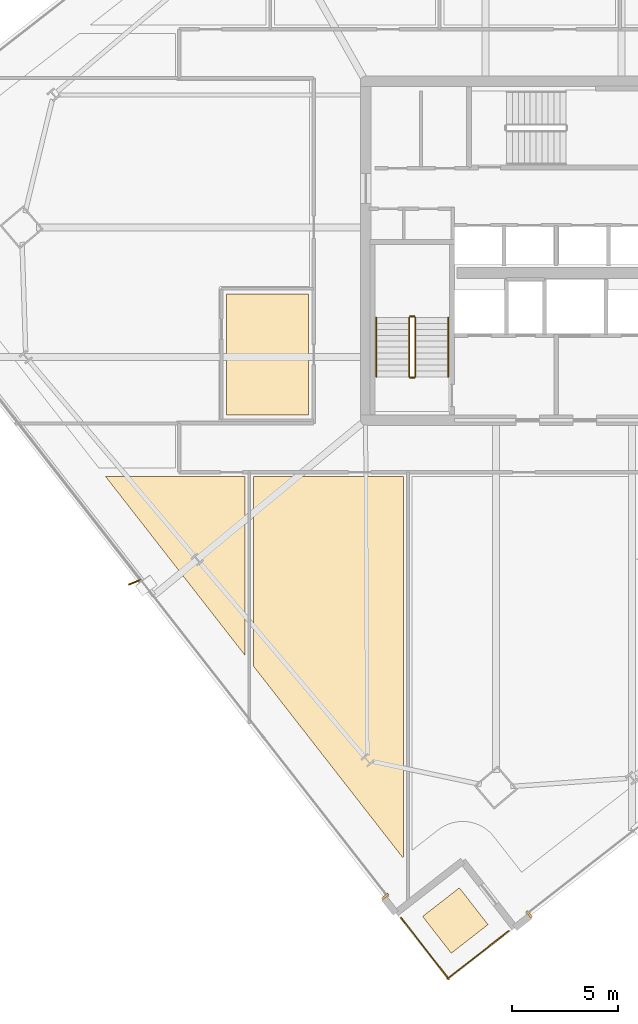
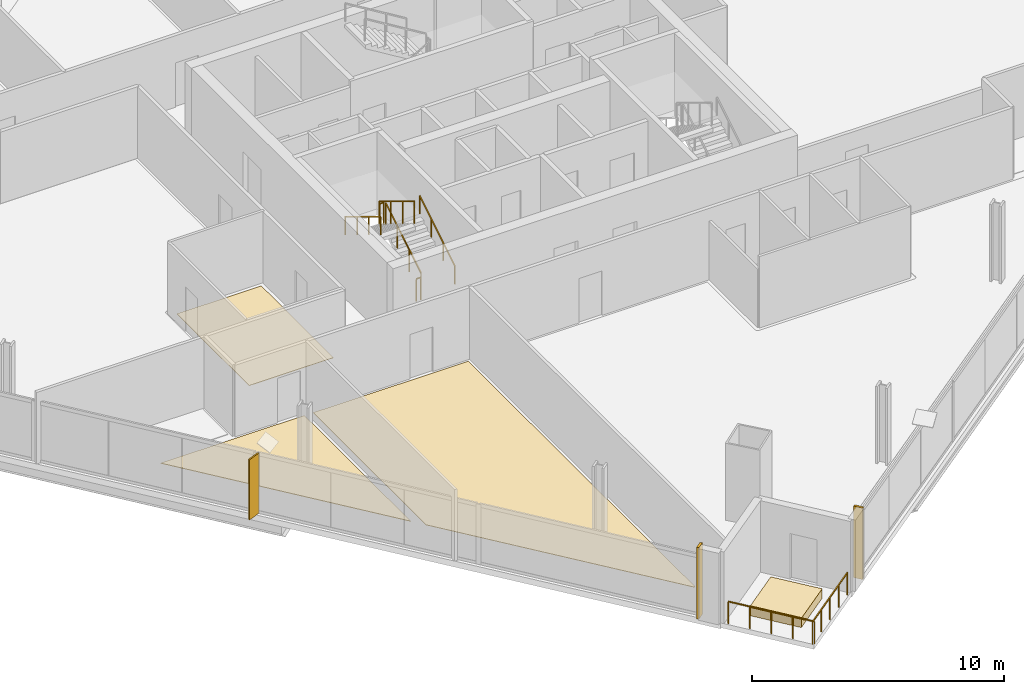
# One storey, part 28 of 32: 8 railings, 6 coverings, 1 shading device.
"""IFC4 building model written with IfcOpenShell, lengths in metres."""

import ifcopenshell
import ifcopenshell.guid

model = None  # the IFC model being written
_history = None  # IfcOwnerHistory: only IFC2X3 demands one
_inside = {}  # id of a spatial element -> (the spatial element, [elements in it])
_under = {}  # id of a project, library or spatial element -> (it, [spatial elements below it])
_declared = {}  # id of a project -> (the project, [libraries it declares])
_typed = {}  # id of a type object -> (the type object, [elements of that type])
_made_of = {}  # id of a material, layer set ... -> (it, [elements and type objects made of it])


def new_model(schema):
    """Start an empty IFC model of exactly this schema.

    Asked for "IFC4X3", IfcOpenShell would pick the latest addendum, in which some entities
    have other attributes; the version numbers below select the first issue.
    IFC2X3 requires an IfcOwnerHistory on every rooted entity: one is made here for all.
    """
    global model, _history
    if schema == "IFC4X3":
        model = ifcopenshell.file(schema_version=(4, 3, 0, 0))
    else:
        model = ifcopenshell.file(schema=schema)
    _inside.clear()
    _under.clear()
    _declared.clear()
    _typed.clear()
    _made_of.clear()
    _history = None
    if model.schema == "IFC2X3":
        org = make("IfcOrganization", Name="unknown")
        user = make(
            "IfcPersonAndOrganization",
            ThePerson=make("IfcPerson", FamilyName="unknown"),
            TheOrganization=org,
        )
        app = make(
            "IfcApplication",
            ApplicationDeveloper=org,
            Version="unknown",
            ApplicationFullName="unknown",
            ApplicationIdentifier="unknown",
        )
        _history = make(
            "IfcOwnerHistory",
            OwningUser=user,
            OwningApplication=app,
            ChangeAction="ADDED",
            CreationDate=0,
        )
    return model


def make(cls, **values):
    """One entity of the class cls with the attributes given. An attribute that is None is left unset."""
    return model.create_entity(
        cls, **{name: value for name, value in values.items() if value is not None}
    )


def rooted(cls, **values):
    """An entity with a GlobalId (a new one), such as an element, a storey or a relation."""
    return make(cls, GlobalId=ifcopenshell.guid.new(), OwnerHistory=_history, **values)


def si_unit(unit_type, name, prefix=None):
    """IfcSIUnit, for example si_unit("LENGTHUNIT", "METRE", prefix="MILLI")."""
    return make("IfcSIUnit", UnitType=unit_type, Prefix=prefix, Name=name)


def assignment(units):
    """IfcUnitAssignment: the units of a project."""
    return None if units is None else make("IfcUnitAssignment", Units=units)


def point(xyz):
    """IfcCartesianPoint."""
    return None if xyz is None else make("IfcCartesianPoint", Coordinates=xyz)


def direction(xyz):
    """IfcDirection."""
    return None if xyz is None else make("IfcDirection", DirectionRatios=xyz)


def frame(location, z_axis=None, x_axis=None):
    """IfcAxis2Placement3D, a coordinate frame: its origin and axes. An axis left out is left unset."""
    return make(
        "IfcAxis2Placement3D",
        Location=point(location),
        Axis=direction(z_axis),
        RefDirection=direction(x_axis),
    )


def frame_2d(location, x_axis=None):
    """IfcAxis2Placement2D, a coordinate frame in the plane: its origin and x axis."""
    return make(
        "IfcAxis2Placement2D", Location=point(location), RefDirection=direction(x_axis)
    )


def origin():
    """The frame at (0, 0, 0) with its axes left unset."""
    return frame((0.0, 0.0, 0.0))


def origin_2d():
    """The frame at (0, 0) in the plane with its x axis left unset."""
    return frame_2d((0.0, 0.0))


def place(relative_to, where):
    """IfcLocalPlacement: puts the frame where relative to a parent placement (None: the world)."""
    return make(
        "IfcLocalPlacement", PlacementRelTo=relative_to, RelativePlacement=where
    )


def context(
    kind, dimensions, precision=None, world=None, true_north=None, identifier=None
):
    """IfcGeometricRepresentationContext, for example the 3D "Model" context."""
    return make(
        "IfcGeometricRepresentationContext",
        ContextIdentifier=identifier,
        ContextType=kind,
        CoordinateSpaceDimension=dimensions,
        Precision=precision,
        WorldCoordinateSystem=world,
        TrueNorth=true_north,
    )


def subcontext(parent, identifier, kind, view, scale=None):
    """IfcGeometricRepresentationSubContext, for example "Body" below "Model"."""
    return make(
        "IfcGeometricRepresentationSubContext",
        ContextIdentifier=identifier,
        ContextType=kind,
        ParentContext=parent,
        TargetScale=scale,
        TargetView=view,
    )


def project(units=None, contexts=None):
    """IfcProject with its units and contexts."""
    return rooted(
        "IfcProject",
        Name="project",
        RepresentationContexts=contexts,
        UnitsInContext=assignment(units),
    )


def spatial(cls, under=None, at=None, **own):
    """A site, building, storey or space (cls), placed at a placement, below another one or the project."""
    s = rooted(cls, ObjectPlacement=at, **own)
    if under is not None:
        _under.setdefault(under.id(), (under, []))[1].append(s)
    return s


def polyline(points):
    """IfcPolyline through the points."""
    return make("IfcPolyline", Points=[point(p) for p in points])


def profile(cls, at=None, kind="AREA", **sizes):
    """A parametric profile (cls). Its sizes go by their IFC names, for example OverallWidth=200.0."""
    return make(cls, ProfileType=kind, Position=at, **sizes)


def rectangle(**sizes):
    """IfcRectangleProfileDef."""
    return profile("IfcRectangleProfileDef", **sizes)


def outline(outer, holes=None, kind="AREA"):
    """IfcArbitraryClosedProfileDef: a profile drawn as a closed curve; with holes, ...WithVoids."""
    if holes is None:
        return make("IfcArbitraryClosedProfileDef", ProfileType=kind, OuterCurve=outer)
    return make(
        "IfcArbitraryProfileDefWithVoids",
        ProfileType=kind,
        OuterCurve=outer,
        InnerCurves=holes,
    )


def extrude(swept, where, along, depth):
    """IfcExtrudedAreaSolid: the profile swept, set in the frame where, extruded along a direction by depth."""
    return make(
        "IfcExtrudedAreaSolid",
        SweptArea=swept,
        Position=where,
        ExtrudedDirection=direction(along),
        Depth=depth,
    )


def shape(context_of_items, identifier, shape_type, items):
    """IfcShapeRepresentation: the items that make up one representation, for example the "Body"."""
    return make(
        "IfcShapeRepresentation",
        ContextOfItems=context_of_items,
        RepresentationIdentifier=identifier,
        RepresentationType=shape_type,
        Items=items,
    )


def source(mapping_origin, context_of_items, identifier, shape_type, items):
    """IfcRepresentationMap: a shape defined once, which mapped items show again and again."""
    return make(
        "IfcRepresentationMap",
        MappingOrigin=mapping_origin,
        MappedRepresentation=shape(context_of_items, identifier, shape_type, items),
    )


def transform(
    local_origin,
    x_axis=None,
    y_axis=None,
    z_axis=None,
    scale=None,
    scale2=None,
    scale3=None,
    uniform=True,
):
    """IfcCartesianTransformationOperator3D, or its non-uniform kind. x_axis, y_axis, z_axis: its Axis1, 2, 3."""
    if uniform:
        return make(
            "IfcCartesianTransformationOperator3D",
            Axis1=direction(x_axis),
            Axis2=direction(y_axis),
            LocalOrigin=point(local_origin),
            Scale=scale,
            Axis3=direction(z_axis),
        )
    return make(
        "IfcCartesianTransformationOperator3DnonUniform",
        Axis1=direction(x_axis),
        Axis2=direction(y_axis),
        LocalOrigin=point(local_origin),
        Scale=scale,
        Axis3=direction(z_axis),
        Scale2=scale2,
        Scale3=scale3,
    )


def mapped(mapping_source, mapping_target):
    """IfcMappedItem: shows the shape of a source again, moved by a transform."""
    return make(
        "IfcMappedItem", MappingSource=mapping_source, MappingTarget=mapping_target
    )


def material(Name=None, Category=None):
    """IfcMaterial."""
    return make("IfcMaterial", Name=Name, Category=Category)


def layer(
    of_material, thickness, ventilated=None, Name=None, Category=None, Priority=None
):
    """IfcMaterialLayer: one layer of a wall or slab, of a material (None: an air gap)."""
    return make(
        "IfcMaterialLayer",
        Material=of_material,
        LayerThickness=thickness,
        IsVentilated=ventilated,
        Name=Name,
        Category=Category,
        Priority=Priority,
    )


def layer_set(layers, Name=None):
    """IfcMaterialLayerSet."""
    return make("IfcMaterialLayerSet", MaterialLayers=layers, LayerSetName=Name)


def made_of(thing, what):
    """Note that an element or type object is made of a material, layer set ...; save() writes the relation."""
    if what is not None:
        _made_of.setdefault(what.id(), (what, []))[1].append(thing)
    return thing


def type_object(cls, material=None, **own):
    """A type object (cls), such as IfcWallType, which elements share."""
    return made_of(rooted(cls, **own), material)


def element(
    cls,
    number,
    at=None,
    inside=None,
    cuts=None,
    type_object=None,
    material=None,
    context=None,
    identifier="Body",
    shape_type=None,
    held_by="IfcProductDefinitionShape",
    body=None,
    shapes=None,
    **own,
):
    """One element of the class cls, such as IfcWall. Its Tag is "e" and its number.

    at: its placement. inside: the storey or other place that contains it. cuts: it is an
    opening in that element (IfcRelVoidsElement). A single representation is given by context,
    identifier, shape_type and body (its items); several are given by shapes. held_by: the class
    of the entity that holds the representations. save() writes the other relations.
    """
    e = rooted(cls, Tag="e%d" % number, ObjectPlacement=at, **own)
    if body is not None:
        shapes = [shape(context, identifier, shape_type, body)]
    if shapes is not None:
        e.Representation = make(held_by, Representations=shapes)
    if inside is not None:
        _inside.setdefault(inside.id(), (inside, []))[1].append(e)
    if cuts is not None:
        rooted(
            "IfcRelVoidsElement", RelatingBuildingElement=cuts, RelatedOpeningElement=e
        )
    if type_object is not None:
        _typed.setdefault(type_object.id(), (type_object, []))[1].append(e)
    return made_of(e, material)


def aggregate(whole, parts):
    """IfcRelAggregates: a whole, such as a stair, and the parts it consists of."""
    return rooted("IfcRelAggregates", RelatingObject=whole, RelatedObjects=parts)


def save(model, path):
    """Write the relations noted so far, then the file.

    IfcRelAggregates (storeys below a building ...), IfcRelContainedInSpatialStructure (elements
    in a storey), IfcRelDefinesByType, IfcRelAssociatesMaterial and IfcRelDeclares: one each for
    every whole, place, type object, material and project.
    """
    for whole, parts in _under.values():
        aggregate(whole, parts)
    for where, things in _inside.values():
        rooted(
            "IfcRelContainedInSpatialStructure",
            RelatedElements=things,
            RelatingStructure=where,
        )
    for kind, things in _typed.values():
        rooted("IfcRelDefinesByType", RelatedObjects=things, RelatingType=kind)
    for what, things in _made_of.values():
        rooted("IfcRelAssociatesMaterial", RelatedObjects=things, RelatingMaterial=what)
    for by, libraries in _declared.values():
        rooted("IfcRelDeclares", RelatingContext=by, RelatedDefinitions=libraries)
    model.write(path)


model = new_model("IFC4")

# Units and contexts
model_context = context("Model", 3, precision=1e-05, world=origin(), true_north=direction((0.0, 1.0)))
body_context = subcontext(model_context, "Body", "Model", "MODEL_VIEW")
ifc_project = project(units=[si_unit("LENGTHUNIT", "METRE"), si_unit("AREAUNIT", "SQUARE_METRE"), si_unit("VOLUMEUNIT", "CUBIC_METRE"), si_unit("PLANEANGLEUNIT", "RADIAN"), si_unit("MASSUNIT", "GRAM", prefix="KILO")], contexts=[model_context])

# Site, building, storey
site_placement = place(None, origin())
site = spatial("IfcSite", under=ifc_project, at=site_placement, CompositionType="ELEMENT")
building_placement = place(site_placement, origin())
building = spatial("IfcBuilding", under=site, at=building_placement, Name="Haldenkirk Collegiate Tower", CompositionType="ELEMENT")
storey_placement = place(building_placement, frame((0.0, 0.0, 155.699951171875)))
storey = spatial("IfcBuildingStorey", under=building, at=storey_placement, Name="L38", CompositionType="ELEMENT", Elevation=155.699951171875)

# Coverings
ifc_material_1 = material(Name="Polished collegiate terrazzo", Category="concrete")
ifc_layer_1 = layer(ifc_material_1, 0.02490234375)
ifc_layer_set_1 = layer_set([ifc_layer_1], Name="Polished collegiate terrazzo")
covering_type_1 = type_object("IfcCoveringType", Name="COV-FLOOR-TERRAZZO", PredefinedType="FLOORING", material=ifc_layer_set_1)
covering_1_placement = place(storey_placement, origin())
element("IfcCovering", 1, at=covering_1_placement, inside=storey, type_object=covering_type_1, Name="L38 academic room finish 02", PredefinedType="FLOORING", context=body_context, shape_type="SweptSolid", body=[
    extrude(outline(polyline([(14.7197265625, 15.35009765625), (21.300048828125, 15.35009765625), (21.300048828125, 6.912353515625), (14.7197265625, 15.35009765625)])), origin(), (0.0, 0.0, 1.0), 0.025146484375),
])
ifc_material_2 = material(Name="Engineered collegiate oak acoustic flooring", Category="wood")
ifc_layer_2 = layer(ifc_material_2, 0.02197265625)
ifc_layer_set_2 = layer_set([ifc_layer_2], Name="Engineered collegiate oak acoustic flooring")
covering_type_2 = type_object("IfcCoveringType", Name="COV-FLOOR-TIMBER", PredefinedType="FLOORING", material=ifc_layer_set_2)
covering_2_placement = place(storey_placement, origin())
element("IfcCovering", 2, at=covering_2_placement, inside=storey, type_object=covering_type_2, Name="L38 academic room finish 01", PredefinedType="FLOORING", context=body_context, shape_type="SweptSolid", body=[
    extrude(outline(polyline([(20.43994140625, 18.239990234375), (20.43994140625, 23.9599609375), (24.300048828125, 23.9599609375), (24.300048828125, 18.239990234375), (20.43994140625, 18.239990234375)])), origin(), (0.0, 0.0, 1.0), 0.02197265625),
])
covering_3_placement = place(storey_placement, origin())
element("IfcCovering", 3, at=covering_3_placement, inside=storey, type_object=covering_type_2, Name="L38 academic room finish 03", PredefinedType="FLOORING", context=body_context, shape_type="SweptSolid", body=[
    extrude(outline(polyline([(28.752685546875, -2.643798828125), (21.699951171875, 6.399658203125), (21.699951171875, 15.35009765625), (28.800048828125, 15.35009765625), (28.800048828125, -2.606689453125), (28.752685546875, -2.643798828125)])), origin(), (0.0, 0.0, 1.0), 0.02197265625),
])
ifc_material_3 = material(Name="Precast concrete f'c 40 MPa", Category="concrete")
ifc_layer_3 = layer(ifc_material_3, 0.449951171875)
ifc_layer_set_3 = layer_set([ifc_layer_3], Name="Precast concrete f'c 40 MPa")
covering_type_3 = type_object("IfcCoveringType", Name="COV-PLANTER-450", PredefinedType="USERDEFINED", material=ifc_layer_set_3)
covering_4_placement = place(storey_placement, origin())
element("IfcCovering", 4, at=covering_4_placement, inside=storey, type_object=covering_type_3, Name="L38 planted garden planter bed", ObjectType="PLANTER", PredefinedType="USERDEFINED", context=body_context, shape_type="SweptSolid", body=[
    extrude(outline(polyline([(31.044189453125, -7.1591796875), (29.69140625, -5.424560546875), (31.426025390625, -4.071533203125), (32.779052734375, -5.806396484375), (31.044189453125, -7.1591796875)])), origin(), (0.0, 0.0, 1.0), 0.449951171875),
])

# Railings
ifc_material_4 = material(Name="Painted architectural tubular steel", Category="steel")
railing_type_1 = type_object("IfcRailingType", Name="RLG-STAIR-GUARD-1100", PredefinedType="BALUSTRADE", material=ifc_material_4)
railing_1_placement = place(storey_placement, frame((29.35009765625, 20.050048828125, 0.17041015625)))
element("IfcRailing", 5, at=railing_1_placement, inside=storey, type_object=railing_type_1, Name="L38 ST-1 stair guard 1", PredefinedType="BALUSTRADE", context=body_context, shape_type="SweptSolid", body=[
    extrude(rectangle(XDim=0.048095703125, YDim=0.048095703125, at=origin_2d()), frame((0.0, 0.0, 1.076171875), z_axis=(0.0, 0.854169791009, 0.51999420009), x_axis=(-1.0, 0.0, 0.0)), (0.0, 0.0, 1.0), 3.278076171875),
    extrude(rectangle(XDim=0.0419921875, YDim=0.0419921875, at=origin_2d()), origin(), (0.0, 0.0, 1.0), 1.052001953125),
    extrude(rectangle(XDim=0.0419921875, YDim=0.0419921875, at=origin_2d()), frame((0.0, 0.933349609375, 0.568115234375)), (0.0, 0.0, 1.0), 1.052001953125),
    extrude(rectangle(XDim=0.0419921875, YDim=0.0419921875, at=origin_2d()), frame((0.0, 1.86669921875, 1.136474609375)), (0.0, 0.0, 1.0), 1.052001953125),
    extrude(rectangle(XDim=0.0419921875, YDim=0.0419921875, at=origin_2d()), frame((0.0, 2.800048828125, 1.70458984375)), (0.0, 0.0, 1.0), 1.052001953125),
])
railing_2_placement = place(storey_placement, frame((29.300048828125, 22.89990234375, 1.875)))
element("IfcRailing", 6, at=railing_2_placement, inside=storey, type_object=railing_type_1, Name="L38 ST-1 stair guard 2", PredefinedType="BALUSTRADE", context=body_context, shape_type="SweptSolid", body=[
    extrude(rectangle(XDim=0.048095703125, YDim=0.048095703125, at=origin_2d()), frame((0.0, 0.0, 1.076171875), z_axis=(-1.0, 0.0, 0.0), x_axis=(0.0, -1.0, 0.0)), (0.0, 0.0, 1.0), 0.199951171875),
    extrude(rectangle(XDim=0.0419921875, YDim=0.0419921875, at=origin_2d()), origin(), (0.0, 0.0, 1.0), 1.052001953125),
    extrude(rectangle(XDim=0.0419921875, YDim=0.0419921875, at=origin_2d()), frame((-0.199951171875, 0.0, 0.0)), (0.0, 0.0, 1.0), 1.052001953125),
])
railing_3_placement = place(storey_placement, frame((29.050048828125, 22.85009765625, 2.04541015625)))
element("IfcRailing", 7, at=railing_3_placement, inside=storey, type_object=railing_type_1, Name="L38 ST-1 stair guard 3", PredefinedType="BALUSTRADE", context=body_context, shape_type="SweptSolid", body=[
    extrude(rectangle(XDim=0.048095703125, YDim=0.048095703125, at=origin_2d()), frame((0.0, 0.0, 1.076171875), z_axis=(0.0, -0.854169791009, 0.51999420009), x_axis=(1.0, 0.0, 0.0)), (0.0, 0.0, 1.0), 3.278076171875),
    extrude(rectangle(XDim=0.0419921875, YDim=0.0419921875, at=origin_2d()), origin(), (0.0, 0.0, 1.0), 1.052001953125),
    extrude(rectangle(XDim=0.0419921875, YDim=0.0419921875, at=origin_2d()), frame((0.0, -0.933349609375, 0.568115234375)), (0.0, 0.0, 1.0), 1.052001953125),
    extrude(rectangle(XDim=0.0419921875, YDim=0.0419921875, at=origin_2d()), frame((0.0, -1.86669921875, 1.136474609375)), (0.0, 0.0, 1.0), 1.052001953125),
    extrude(rectangle(XDim=0.0419921875, YDim=0.0419921875, at=origin_2d()), frame((0.0, -2.800048828125, 1.70458984375)), (0.0, 0.0, 1.0), 1.052001953125),
])
railing_4_placement = place(storey_placement, frame((29.300048828125, 20.0, 0.0)))
element("IfcRailing", 8, at=railing_4_placement, inside=storey, type_object=railing_type_1, Name="L38 ST-1 stair guard 4", PredefinedType="BALUSTRADE", context=body_context, shape_type="SweptSolid", body=[
    extrude(rectangle(XDim=0.048095703125, YDim=0.048095703125, at=origin_2d()), frame((0.0, 0.0, 1.076171875), z_axis=(-1.0, 0.0, 0.0), x_axis=(0.0, -1.0, 0.0)), (0.0, 0.0, 1.0), 0.199951171875),
    extrude(rectangle(XDim=0.0419921875, YDim=0.0419921875, at=origin_2d()), origin(), (0.0, 0.0, 1.0), 1.052001953125),
    extrude(rectangle(XDim=0.0419921875, YDim=0.0419921875, at=origin_2d()), frame((-0.199951171875, 0.0, 0.0)), (0.0, 0.0, 1.0), 1.052001953125),
])
railing_type_2 = type_object("IfcRailingType", Name="RLG-STAIR-HANDRAIL-900", PredefinedType="HANDRAIL", material=ifc_material_4)
railing_5_placement = place(storey_placement, frame((30.89990234375, 20.050048828125, 0.17041015625)))
element("IfcRailing", 9, at=railing_5_placement, inside=storey, type_object=railing_type_2, Name="L38 ST-1 stair handrail 1", PredefinedType="HANDRAIL", context=body_context, shape_type="SweptSolid", body=[
    extrude(rectangle(XDim=0.048095703125, YDim=0.048095703125, at=origin_2d()), frame((0.0, 0.0, 0.8759765625), z_axis=(0.0, 0.854169791009, 0.51999420009), x_axis=(-1.0, 0.0, 0.0)), (0.0, 0.0, 1.0), 3.278076171875),
    extrude(rectangle(XDim=0.0419921875, YDim=0.0419921875, at=origin_2d()), origin(), (0.0, 0.0, 1.0), 0.851806640625),
    extrude(rectangle(XDim=0.0419921875, YDim=0.0419921875, at=origin_2d()), frame((0.0, 0.933349609375, 0.568115234375)), (0.0, 0.0, 1.0), 0.851806640625),
    extrude(rectangle(XDim=0.0419921875, YDim=0.0419921875, at=origin_2d()), frame((0.0, 1.86669921875, 1.136474609375)), (0.0, 0.0, 1.0), 0.851806640625),
    extrude(rectangle(XDim=0.0419921875, YDim=0.0419921875, at=origin_2d()), frame((0.0, 2.800048828125, 1.70458984375)), (0.0, 0.0, 1.0), 0.851806640625),
])
railing_6_placement = place(storey_placement, frame((27.5, 22.85009765625, 2.04541015625)))
element("IfcRailing", 10, at=railing_6_placement, inside=storey, type_object=railing_type_2, Name="L38 ST-1 stair handrail 2", PredefinedType="HANDRAIL", context=body_context, shape_type="SweptSolid", body=[
    extrude(rectangle(XDim=0.048095703125, YDim=0.048095703125, at=origin_2d()), frame((0.0, 0.0, 0.8759765625), z_axis=(0.0, -0.854169791009, 0.51999420009), x_axis=(1.0, 0.0, 0.0)), (0.0, 0.0, 1.0), 3.278076171875),
    extrude(rectangle(XDim=0.0419921875, YDim=0.0419921875, at=origin_2d()), origin(), (0.0, 0.0, 1.0), 0.851806640625),
    extrude(rectangle(XDim=0.0419921875, YDim=0.0419921875, at=origin_2d()), frame((0.0, -0.933349609375, 0.568115234375)), (0.0, 0.0, 1.0), 0.851806640625),
    extrude(rectangle(XDim=0.0419921875, YDim=0.0419921875, at=origin_2d()), frame((0.0, -1.86669921875, 1.136474609375)), (0.0, 0.0, 1.0), 0.851806640625),
    extrude(rectangle(XDim=0.0419921875, YDim=0.0419921875, at=origin_2d()), frame((0.0, -2.800048828125, 1.70458984375)), (0.0, 0.0, 1.0), 0.851806640625),
])
ifc_material_5 = material(Name="Anodised architectural bronze aluminium", Category="aluminium")
railing_type_3 = type_object("IfcRailingType", Name="RLG-TERR-BALUSTRADE-1100", PredefinedType="BALUSTRADE", material=ifc_material_5)
railing_7_placement = place(storey_placement, frame((30.85107421875, -8.375244140625, 0.0)))
element("IfcRailing", 11, at=railing_7_placement, inside=storey, type_object=railing_type_3, Name="L38 terrace guard balustrade 1-1", PredefinedType="BALUSTRADE", context=body_context, shape_type="SweptSolid", body=[
    extrude(rectangle(XDim=0.048095703125, YDim=0.048095703125, at=origin_2d()), frame((0.0, 0.0, 1.076171875), z_axis=(0.788537051228, 0.614987250958, 0.0), x_axis=(-0.614987250958, 0.788537051228, 0.0)), (0.0, 0.0, 1.0), 3.679931640625),
    extrude(rectangle(XDim=0.0419921875, YDim=0.0419921875, at=origin_2d()), origin(), (0.0, 0.0, 1.0), 1.052001953125),
    extrude(rectangle(XDim=0.0419921875, YDim=0.0419921875, at=origin_2d()), frame((0.7255859375, 0.56591796875, 0.0)), (0.0, 0.0, 1.0), 1.052001953125),
    extrude(rectangle(XDim=0.0419921875, YDim=0.0419921875, at=origin_2d()), frame((1.450927734375, 1.131591796875, 0.0)), (0.0, 0.0, 1.0), 1.052001953125),
    extrude(rectangle(XDim=0.0419921875, YDim=0.0419921875, at=origin_2d()), frame((2.17626953125, 1.697265625, 0.0)), (0.0, 0.0, 1.0), 1.052001953125),
    extrude(rectangle(XDim=0.0419921875, YDim=0.0419921875, at=origin_2d()), frame((2.90185546875, 2.26318359375, 0.0)), (0.0, 0.0, 1.0), 1.052001953125),
])
railing_8_placement = place(storey_placement, frame((28.672119140625, -5.483642578125, 0.0)))
element("IfcRailing", 12, at=railing_8_placement, inside=storey, type_object=railing_type_3, Name="L38 terrace guard balustrade 4-1", PredefinedType="BALUSTRADE", context=body_context, shape_type="SweptSolid", body=[
    extrude(rectangle(XDim=0.048095703125, YDim=0.048095703125, at=origin_2d()), frame((0.0, 0.0, 1.076171875), z_axis=(0.614987250958, -0.788537051228, 0.0), x_axis=(0.788537051228, 0.614987250958, 0.0)), (0.0, 0.0, 1.0), 3.679931640625),
    extrude(rectangle(XDim=0.0419921875, YDim=0.0419921875, at=origin_2d()), origin(), (0.0, 0.0, 1.0), 1.052001953125),
    extrude(rectangle(XDim=0.0419921875, YDim=0.0419921875, at=origin_2d()), frame((0.56591796875, -0.7255859375, 0.0)), (0.0, 0.0, 1.0), 1.052001953125),
    extrude(rectangle(XDim=0.0419921875, YDim=0.0419921875, at=origin_2d()), frame((1.131591796875, -1.450927734375, 0.0)), (0.0, 0.0, 1.0), 1.052001953125),
    extrude(rectangle(XDim=0.0419921875, YDim=0.0419921875, at=origin_2d()), frame((1.697265625, -2.17626953125, 0.0)), (0.0, 0.0, 1.0), 1.052001953125),
    extrude(rectangle(XDim=0.0419921875, YDim=0.0419921875, at=origin_2d()), frame((2.26318359375, -2.90185546875, 0.0)), (0.0, 0.0, 1.0), 1.052001953125),
])

# Coverings
ifc_layer_4 = layer(ifc_material_5, 0.06005859375)
ifc_layer_set_4 = layer_set([ifc_layer_4], Name="Anodised architectural bronze aluminium")
covering_type_4 = type_object("IfcCoveringType", Name="COV-CLAD-BRONZE-60", PredefinedType="CLADDING", material=ifc_layer_set_4)
shared_shape_1 = source(origin(), body_context, "Body", "SweptSolid", [
    extrude(rectangle(XDim=0.10009765625, YDim=0.3798828125, at=origin_2d()), origin(), (0.0, 0.0, 1.0), 3.4599609375),
])
for number, where, z_axis, x_axis, name in (
    (13, (34.72021484375, -5.319580078125, 0.0), (0.0, 0.0, 1.0), (-0.788547719477, -0.614973571877, 0.0), "L38 recessed curtain-wall bronze jamb closure SJR"),
    (14, (27.927001953125, -4.4794921875, 0.0), (0.0, 0.0, 1.0), (-0.614973571877, 0.788547719477, 0.0), "L38 recessed curtain-wall bronze jamb closure WJL"),
):
    element("IfcCovering", number, at=place(storey_placement, frame(where, z_axis=z_axis, x_axis=x_axis)), inside=storey, type_object=covering_type_4, Name=name, PredefinedType="CLADDING", context=body_context, shape_type="MappedRepresentation", body=[
        mapped(shared_shape_1, transform((0.0, 0.0, 0.0), x_axis=(1.0, 0.0, 0.0), y_axis=(0.0, 1.0, 0.0), z_axis=(0.0, 0.0, 1.0), scale=1.0)),
    ])

# Shading device
ifc_layer_5 = layer(ifc_material_5, 0.06494140625)
ifc_layer_set_5 = layer_set([ifc_layer_5], Name="Anodised architectural bronze aluminium")
shading_device_type = type_object("IfcShadingDeviceType", Name="SHD-FIN-BRONZE-620", PredefinedType="USERDEFINED", material=ifc_layer_set_5)
shared_shape_2 = source(origin(), body_context, "Body", "SweptSolid", [
    extrude(rectangle(XDim=0.6201171875, YDim=0.06494140625, at=origin_2d()), origin(), (0.0, 0.0, 1.0), 2.910888671875),
])
shading_device_placement = place(storey_placement, frame((16.099365234375, 10.35302734375, 0.0), z_axis=(0.0, 0.0, 1.0), x_axis=(-0.927510407403, -0.373797330327, 0.0)))
element("IfcShadingDevice", 15, at=shading_device_placement, inside=storey, type_object=shading_device_type, Name="L38 folded bronze solar fin 1", ObjectType="FIN", PredefinedType="USERDEFINED", context=body_context, shape_type="MappedRepresentation", body=[
    mapped(shared_shape_2, transform((0.0, 0.0, 0.0), x_axis=(1.0, 0.0, 0.0), y_axis=(0.0, 1.0, 0.0), z_axis=(0.0, 0.0, 1.0), scale=1.0)),
])

save(model, "model.ifc")
